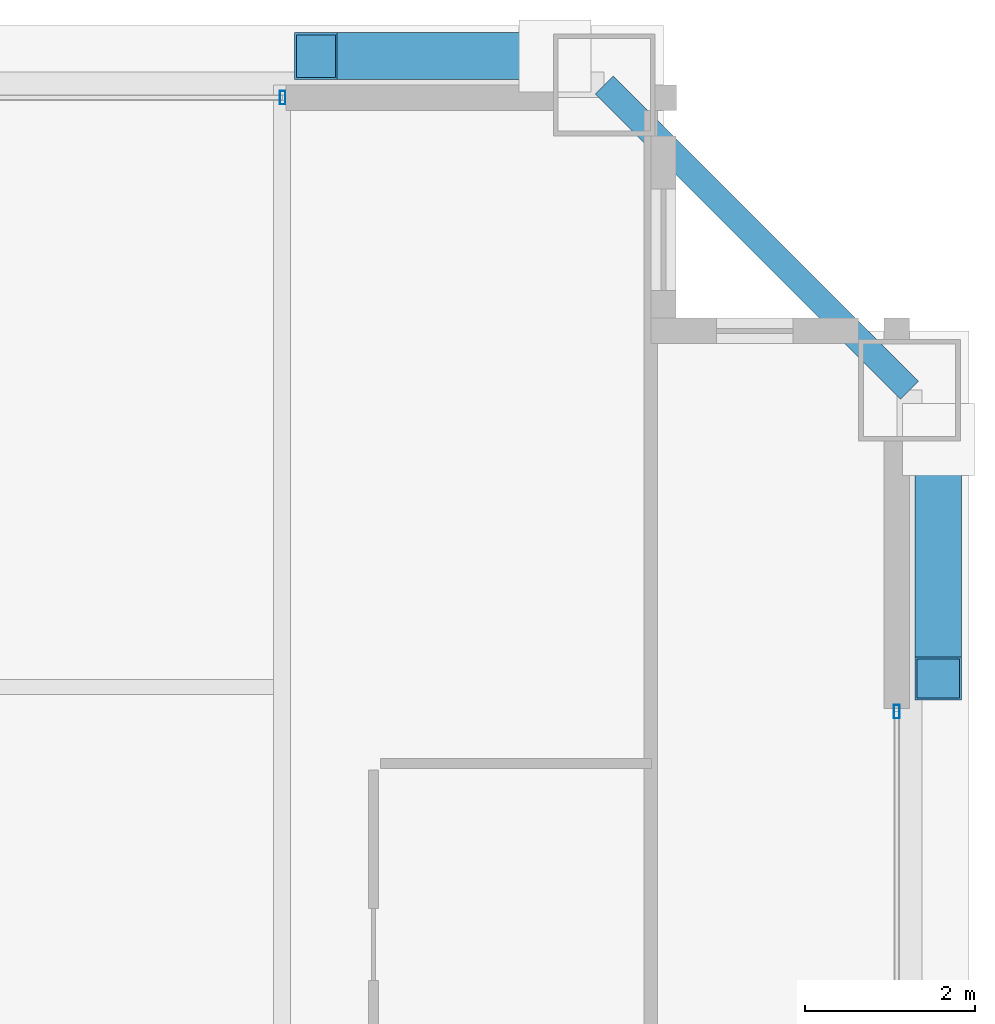
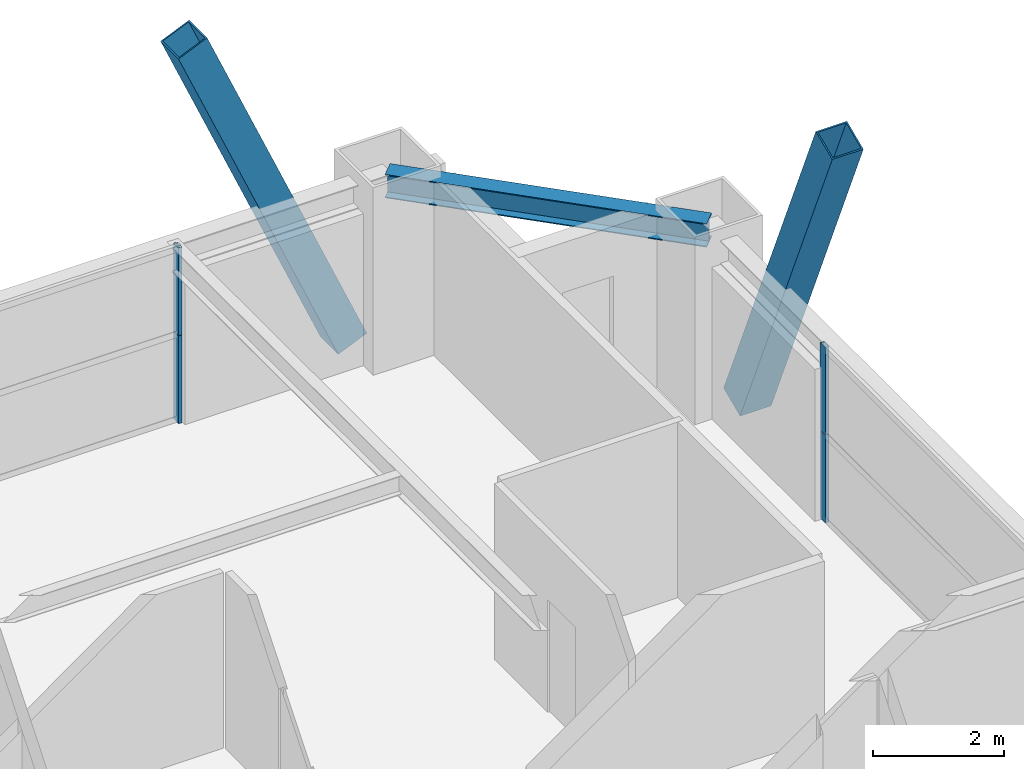
# One storey, part 27 of 33: 6 members, 1 beam, 2 elements without a shape of their own.
"""IFC4 building model written with IfcOpenShell, lengths in metres."""

from ifc_helpers import new_model, si_unit, direction, frame, origin, origin_2d, place, context, subcontext, project, spatial, hollow_rectangle, i_section, extrude, source, transform, mapped, material, layer, layer_set, material_profile, profile_set, type_object, element, aggregate, save


model = new_model("IFC4")

# Units and contexts
model_context = context("Model", 3, precision=1e-05, world=origin(), true_north=direction((0.0, 1.0)))
body_context = subcontext(model_context, "Body", "Model", "MODEL_VIEW")
ifc_project = project(units=[si_unit("LENGTHUNIT", "METRE"), si_unit("AREAUNIT", "SQUARE_METRE"), si_unit("VOLUMEUNIT", "CUBIC_METRE"), si_unit("PLANEANGLEUNIT", "RADIAN"), si_unit("MASSUNIT", "GRAM", prefix="KILO"), si_unit("THERMODYNAMICTEMPERATUREUNIT", "KELVIN"), si_unit("POWERUNIT", "WATT")], contexts=[model_context])

# Site, building, storey
site_placement = place(None, origin())
site = spatial("IfcSite", under=ifc_project, at=site_placement, CompositionType="ELEMENT")
building_placement = place(site_placement, origin())
building = spatial("IfcBuilding", under=site, at=building_placement, Name="Yuzanri Waterfront Tower", CompositionType="ELEMENT")
storey_placement = place(building_placement, frame((0.0, 0.0, 234.60009765625)))
storey = spatial("IfcBuildingStorey", under=building, at=storey_placement, Name="L62", CompositionType="ELEMENT", Elevation=234.60009765625)

# Beam
ifc_material_1 = material(Name="Steel Q355B", Category="steel")
ifc_material_profile_1 = material_profile(ifc_material_1, i_section(OverallWidth=0.300048828125, OverallDepth=0.43994140625, WebThickness=0.010986328125, FlangeThickness=0.01806640625, at=origin_2d()), Name="HM 440x300x11x18")
ifc_profile_set_1 = profile_set([ifc_material_profile_1], Name="Steel Q355B")
beam_type = type_object("IfcBeamType", Name="Perimeter Spandrel Q355B HM 440x300", PredefinedType="SPANDREL", material=ifc_profile_set_1)
shared_shape_1 = source(origin(), body_context, "Body", "SweptSolid", [
    extrude(i_section(OverallWidth=0.300048828125, OverallDepth=0.43994140625, WebThickness=0.010986328125, FlangeThickness=0.01806640625, at=origin_2d()), origin(), (0.0, 0.0, 1.0), 5.091064453125),
])
beam_placement = place(storey_placement, frame((57.60009765625, 42.800048828125, 3.059814453125), z_axis=(-0.707130757816, 0.707082803744, 0.0), x_axis=(-0.707082803744, -0.707130757816, 0.0)))
element("IfcBeam", 1, at=beam_placement, inside=storey, type_object=beam_type, Name="L62 Perimeter Spandrel E3-N3", PredefinedType="SPANDREL", context=body_context, shape_type="MappedRepresentation", body=[
    mapped(shared_shape_1, transform((0.0, 0.0, 0.0), scale=1.0)),
])

# Members
ifc_material_2 = material(Name="Steel Q390GJC", Category="steel")
ifc_material_profile_2 = material_profile(ifc_material_2, hollow_rectangle(XDim=0.550048828125, YDim=0.550048828125, WallThickness=0.02490234375, at=origin_2d()), Name="RHS 550x550x25")
ifc_profile_set_2 = profile_set([ifc_material_profile_2], Name="Steel Q390GJC")
member_type_1 = type_object("IfcMemberType", Name="Mega Brace Mid Q390GJC RHS 550x550x25", PredefinedType="BRACE", material=ifc_profile_set_2)
shared_shape_2 = source(origin(), body_context, "Body", "SweptSolid", [
    extrude(hollow_rectangle(XDim=0.550048828125, YDim=0.550048828125, WallThickness=0.02490234375, at=origin_2d()), origin(), (0.0, 0.0, 1.0), 7.085205078125),
])
member_1_placement = place(storey_placement, frame((53.419921875, 46.739990234375, 0.179931640625), z_axis=(-0.397982599681, 0.0, 0.917392963975), x_axis=(0.0, -1.0, 0.0)))
element("IfcMember", 2, at=member_1_placement, inside=storey, type_object=member_type_1, Name="L62-L63 Perimeter Mega-Brace N-R", PredefinedType="BRACE", context=body_context, shape_type="MappedRepresentation", body=[
    mapped(shared_shape_2, transform((0.0, 0.0, 0.0), scale=1.0)),
])
shared_shape_3 = source(origin(), body_context, "Body", "SweptSolid", [
    extrude(hollow_rectangle(XDim=0.550048828125, YDim=0.550048828125, WallThickness=0.02490234375, at=origin_2d()), origin(), (0.0, 0.0, 1.0), 7.08544921875),
])
member_2_placement = place(storey_placement, frame((57.93994140625, 42.219970703125, 0.179931640625), z_axis=(0.0, -0.398011598745, 0.917380383082), x_axis=(1.0, 0.0, 0.0)))
element("IfcMember", 3, at=member_2_placement, inside=storey, type_object=member_type_1, Name="L62-L63 Perimeter Mega-Brace E-R", PredefinedType="BRACE", context=body_context, shape_type="MappedRepresentation", body=[
    mapped(shared_shape_3, transform((0.0, 0.0, 0.0), scale=1.0)),
])

# Curtain wall, members
ifc_material_3 = material(Name="Anodized Architectural Bronze", Category="metal")
ifc_layer = layer(ifc_material_3, 0.159912109375)
ifc_layer_set = layer_set([ifc_layer], Name="Anodized Architectural Bronze")
curtain_wall_type = type_object("IfcCurtainWallType", Name="Anodized Bronze Mid-Rise Residential Acoustic Unitized Curtain Wall 7200", PredefinedType="NOTDEFINED", material=ifc_layer_set)
curtain_wall_1_placement = place(storey_placement, origin())
curtain_wall_1 = element("IfcCurtainWall", 4, at=curtain_wall_1_placement, inside=storey, type_object=curtain_wall_type, Name="L62 Curtain Wall CW-L62-NR", PredefinedType="NOTDEFINED")
ifc_material_4 = material(Name="Anodized Architectural Bronze", Category="metal")
ifc_material_profile_3 = material_profile(ifc_material_4, hollow_rectangle(XDim=0.06494140625, YDim=0.159912109375, WallThickness=0.00341796875, at=origin_2d()), Name="CWM 65x160")
ifc_profile_set_3 = profile_set([ifc_material_profile_3], Name="Anodized Architectural Bronze")
member_type_2 = type_object("IfcMemberType", Name="Anodized Bronze Upper-Zone Curtain-Wall Mullion 65x160", PredefinedType="MULLION", material=ifc_profile_set_3)
shared_shape_4 = source(origin(), body_context, "Body", "SweptSolid", [
    extrude(hollow_rectangle(XDim=0.06494140625, YDim=0.159912109375, WallThickness=0.00341796875, at=origin_2d()), origin(), (0.0, 0.0, 1.0), 1.637939453125),
])
member_3_placement = place(storey_placement, frame((50.2099609375, 46.25, 0.0), z_axis=(0.0, 0.0, 1.0), x_axis=(1.0, 0.0, 0.0)))
member_3 = element("IfcMember", 5, at=member_3_placement, type_object=member_type_2, Name="CW-L62-NR Lower Mullion 02", PredefinedType="MULLION", context=body_context, shape_type="MappedRepresentation", body=[
    mapped(shared_shape_4, transform((0.0, 0.0, 0.0), scale=1.0)),
])
member_4_placement = place(storey_placement, frame((50.2099609375, 46.25, 1.641845703125), z_axis=(0.0, 0.0, 1.0), x_axis=(1.0, 0.0, 0.0)))
member_4 = element("IfcMember", 6, at=member_4_placement, type_object=member_type_2, Name="CW-L62-NR Upper Mullion 02", PredefinedType="MULLION", context=body_context, shape_type="MappedRepresentation", body=[
    mapped(shared_shape_4, transform((0.0, 0.0, 0.0), scale=1.0)),
])
aggregate(curtain_wall_1, [member_3, member_4])

curtain_wall_2_placement = place(storey_placement, origin())
curtain_wall_2 = element("IfcCurtainWall", 7, at=curtain_wall_2_placement, inside=storey, type_object=curtain_wall_type, Name="L62 Curtain Wall CW-L62-ER", PredefinedType="NOTDEFINED")
member_5_placement = place(storey_placement, frame((57.449951171875, 39.010009765625, 0.0), z_axis=(0.0, 0.0, 1.0), x_axis=(1.0, 0.0, 0.0)))
member_5 = element("IfcMember", 8, at=member_5_placement, type_object=member_type_2, Name="CW-L62-ER Lower Mullion 02", PredefinedType="MULLION", context=body_context, shape_type="MappedRepresentation", body=[
    mapped(shared_shape_4, transform((0.0, 0.0, 0.0), scale=1.0)),
])
member_6_placement = place(storey_placement, frame((57.449951171875, 39.010009765625, 1.641845703125), z_axis=(0.0, 0.0, 1.0), x_axis=(1.0, 0.0, 0.0)))
member_6 = element("IfcMember", 9, at=member_6_placement, type_object=member_type_2, Name="CW-L62-ER Upper Mullion 02", PredefinedType="MULLION", context=body_context, shape_type="MappedRepresentation", body=[
    mapped(shared_shape_4, transform((0.0, 0.0, 0.0), scale=1.0)),
])
aggregate(curtain_wall_2, [member_5, member_6])

save(model, "model.ifc")
